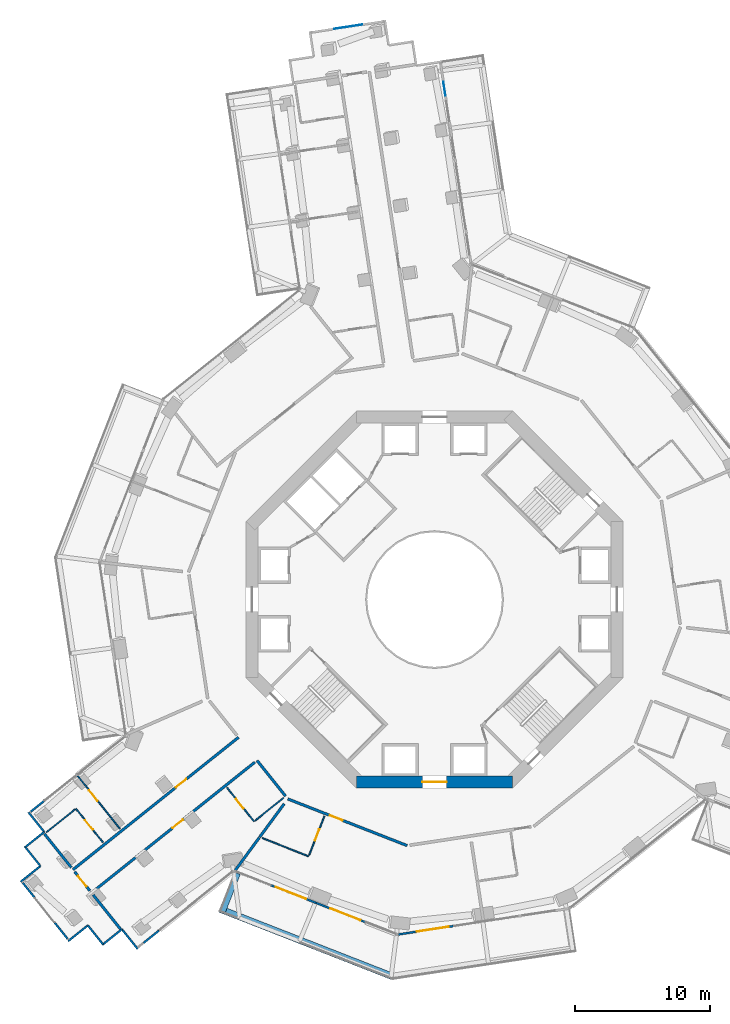
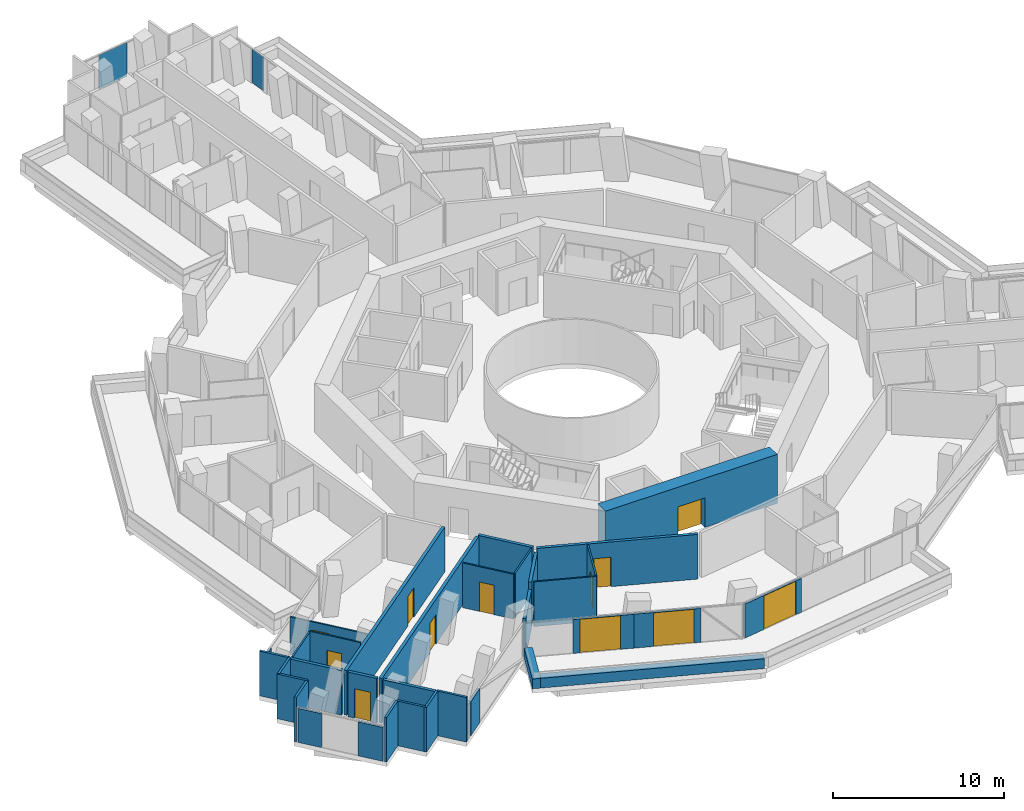
# One storey, part 19 of 28: 34 walls, 12 doors, 2 plates, 12 openings, 2 elements without a shape of their own.
"""IFC4 building model written with IfcOpenShell, lengths in metres."""

from ifc_helpers import new_model, si_unit, direction, frame, frame_2d, origin, origin_2d, place, context, subcontext, project, spatial, rectangle, extrude, material, layer, layer_set, type_object, element, fill, aggregate, save


model = new_model("IFC4")

# Units and contexts
model_context = context("Model", 3, precision=1e-05, world=origin(), true_north=direction((0.0, 1.0)))
body_context = subcontext(model_context, "Body", "Model", "MODEL_VIEW")
ifc_project = project(units=[si_unit("LENGTHUNIT", "METRE"), si_unit("AREAUNIT", "SQUARE_METRE"), si_unit("VOLUMEUNIT", "CUBIC_METRE"), si_unit("PLANEANGLEUNIT", "RADIAN"), si_unit("MASSUNIT", "GRAM", prefix="KILO")], contexts=[model_context])

# Site, building, storey
site_placement = place(None, origin())
site = spatial("IfcSite", under=ifc_project, at=site_placement, CompositionType="ELEMENT")
building_placement = place(site_placement, origin())
building = spatial("IfcBuilding", under=site, at=building_placement, Name="Verdalira Terraces Hotel", CompositionType="ELEMENT")
storey_placement = place(building_placement, frame((0.0, 0.0, 68.0)))
storey = spatial("IfcBuildingStorey", under=building, at=storey_placement, Name="L15", CompositionType="ELEMENT", Elevation=68.0)

# Curtain wall, plate
ifc_material_1 = material(Name="Clear glass", Category="glass")
ifc_layer_1 = layer(ifc_material_1, 0.14990234375)
ifc_layer_set_1 = layer_set([ifc_layer_1], Name="CW2 curtain wall")
curtain_wall_type_1 = type_object("IfcCurtainWallType", Name="CW2 curtain wall", PredefinedType="NOTDEFINED", material=ifc_layer_set_1)
curtain_wall_1_placement = place(storey_placement, origin())
curtain_wall_1 = element("IfcCurtainWall", 1, at=curtain_wall_1_placement, inside=storey, type_object=curtain_wall_type_1, Name="CW2 curtain wall L15 edge 0", PredefinedType="NOTDEFINED")
ifc_material_2 = material(Name="Clear glass", Category="glass")
ifc_layer_2 = layer(ifc_material_2, 0.031982421875)
ifc_layer_set_2 = layer_set([ifc_layer_2], Name="CW2 glass unit 32")
plate_type_1 = type_object("IfcPlateType", Name="CW2 glass unit 32", PredefinedType="CURTAIN_PANEL", material=ifc_layer_set_2)
plate_1_placement = place(storey_placement, frame((0.733398, 37.943115, 0.0), z_axis=(0.0, 0.0, 1.0), x_axis=(-0.150225589, 0.988651745, 0.0)))
plate_1 = element("IfcPlate", 2, at=plate_1_placement, type_object=plate_type_1, Name="CW2 glass unit", PredefinedType="CURTAIN_PANEL", context=body_context, shape_type="SweptSolid", body=[
    extrude(rectangle(XDim=1.071045, YDim=0.031982, at=origin_2d()), origin(), (0.0, 0.0, 1.0), 2.425049),
])
aggregate(curtain_wall_1, [plate_1])

ifc_material_3 = material(Name="Clear glass", Category="glass")
ifc_layer_3 = layer(ifc_material_3, 0.14990234375)
ifc_layer_set_3 = layer_set([ifc_layer_3], Name="CW3 curtain wall")
curtain_wall_type_2 = type_object("IfcCurtainWallType", Name="CW3 curtain wall", PredefinedType="NOTDEFINED", material=ifc_layer_set_3)
curtain_wall_2_placement = place(storey_placement, origin())
curtain_wall_2 = element("IfcCurtainWall", 3, at=curtain_wall_2_placement, inside=storey, type_object=curtain_wall_type_2, Name="CW3 curtain wall L15 edge 5", PredefinedType="NOTDEFINED")
ifc_material_4 = material(Name="Clear glass", Category="glass")
ifc_layer_4 = layer(ifc_material_4, 0.035888671875)
ifc_layer_set_4 = layer_set([ifc_layer_4], Name="CW3 glass unit 36")
plate_type_2 = type_object("IfcPlateType", Name="CW3 glass unit 36", PredefinedType="CURTAIN_PANEL", material=ifc_layer_set_4)
plate_2_placement = place(storey_placement, frame((-6.404541, 42.541748, 0.0), z_axis=(0.0, 0.0, 1.0), x_axis=(-0.988651745, -0.150225589, 0.0)))
plate_2 = element("IfcPlate", 4, at=plate_2_placement, type_object=plate_type_2, Name="CW3 glass unit", PredefinedType="CURTAIN_PANEL", context=body_context, shape_type="SweptSolid", body=[
    extrude(rectangle(XDim=2.0979, YDim=0.035889, at=origin_2d()), origin(), (0.0, 0.0, 1.0), 2.425049),
])
aggregate(curtain_wall_2, [plate_2])

# Walls
ifc_material_5 = material(Name="Concrete C40", Category="concrete")
ifc_layer_5 = layer(ifc_material_5, 0.5)
ifc_layer_set_5 = layer_set([ifc_layer_5], Name="Balcony planter trough with tree")
wall_type_1 = type_object("IfcWallType", Name="Balcony planter trough with tree", PredefinedType="SOLIDWALL", material=ifc_layer_set_5)
wall_1_placement = place(storey_placement, frame((-14.656494, -20.31665, 0.0), z_axis=(0.0, 0.0, 1.0), x_axis=(-0.364261223, -0.931296817, 0.0)))
element("IfcWall", 5, at=wall_1_placement, inside=storey, type_object=wall_type_1, Name="Balcony planter", PredefinedType="SOLIDWALL", context=body_context, shape_type="SweptSolid", body=[
    extrude(rectangle(XDim=3.198975, YDim=0.5, at=frame_2d((1.599609, 0.0))), origin(), (0.0, 0.0, 1.0), 0.699951),
])
wall_2_placement = place(storey_placement, frame((-15.497803, -23.154053, 0.0), z_axis=(0.0, 0.0, 1.0), x_axis=(0.931308957, -0.364230183, 0.0)))
element("IfcWall", 6, at=wall_2_placement, inside=storey, type_object=wall_type_1, Name="Balcony planter", PredefinedType="SOLIDWALL", context=body_context, shape_type="SweptSolid", body=[
    extrude(rectangle(XDim=13.223633, YDim=0.5, at=frame_2d((6.611816, 0.0))), origin(), (0.0, 0.0, 1.0), 0.699951),
])
ifc_material_6 = material(Name="Moisture-resistant gypsum board partition")
ifc_layer_6 = layer(ifc_material_6, 0.10009765625)
ifc_layer_set_6 = layer_set([ifc_layer_6], Name="Bathroom partition 100 mm")
wall_type_2 = type_object("IfcWallType", Name="Bathroom partition 100 mm", PredefinedType="PARTITIONING", material=ifc_layer_set_6)
wall_3_placement = place(storey_placement, frame((-26.708008, -15.590088, 0.0), z_axis=(0.0, 0.0, 1.0), x_axis=(-0.781098103, -0.624408323, 0.0)))
element("IfcWall", 7, at=wall_3_placement, inside=storey, type_object=wall_type_2, Name="Bathroom partition", PredefinedType="PARTITIONING", context=body_context, shape_type="SweptSolid", body=[
    extrude(rectangle(XDim=2.700195, YDim=0.100098, at=frame_2d((1.350098, 0.0))), origin(), (0.0, 0.0, 1.0), 3.189941),
])

# Wall, opening, door
wall_4_placement = place(storey_placement, frame((-24.631836, -18.0271, 0.0), z_axis=(0.0, 0.0, 1.0), x_axis=(-0.624397266, 0.781106942, 0.0)))
wall_4 = element("IfcWall", 8, at=wall_4_placement, inside=storey, type_object=wall_type_2, Name="Bathroom partition", PredefinedType="PARTITIONING", context=body_context, shape_type="SweptSolid", body=[
    extrude(rectangle(XDim=3.199951, YDim=0.100098, at=frame_2d((1.600098, 0.0))), origin(), (0.0, 0.0, 1.0), 3.189941),
])
opening_1_placement = place(wall_4_placement, frame((1.199951, 0.0, 0.0)))
opening_1 = element("IfcOpeningElement", 9, at=opening_1_placement, cuts=wall_4, Name="Opening L15-116", PredefinedType="OPENING", context=body_context, shape_type="SweptSolid", body=[
    extrude(rectangle(XDim=0.899902, YDim=2.100098, at=frame_2d((0.449951, 1.050049))), frame((0.0, 0.060059, 0.0), z_axis=(0.0, -1.0, 0.0), x_axis=(1.0, 0.0, 0.0)), (0.0, 0.0, 1.0), 0.120117),
])
ifc_material_7 = material(Name="Timber door", Category="wood")
door_type_1 = type_object("IfcDoorType", Name="Bathroom door 900 x 2100", OperationType="NOTDEFINED", PredefinedType="DOOR", material=ifc_material_7)
door_1_placement = place(opening_1_placement, origin())
door_1 = element("IfcDoor", 10, at=door_1_placement, inside=storey, type_object=door_type_1, Name="Bathroom door 1506", OperationType="SINGLE_SWING_RIGHT", OverallHeight=2.10009765625, OverallWidth=0.89990234375, PredefinedType="DOOR", context=body_context, shape_type="SweptSolid", body=[
    extrude(rectangle(XDim=0.899902, YDim=2.100098, at=frame_2d((0.449951, 1.050049))), frame((0.0, 0.024902, 0.0), z_axis=(0.0, -1.0, 0.0), x_axis=(1.0, 0.0, 0.0)), (0.0, 0.0, 1.0), 0.050049),
])
fill(opening_1, door_1)

wall_5_placement = place(storey_placement, frame((-15.402344, -13.977295, 0.0), z_axis=(0.0, 0.0, 1.0), x_axis=(0.624443812, -0.781069731, 0.0)))
wall_5 = element("IfcWall", 11, at=wall_5_placement, inside=storey, type_object=wall_type_2, Name="Bathroom partition", PredefinedType="PARTITIONING", context=body_context, shape_type="SweptSolid", body=[
    extrude(rectangle(XDim=3.200195, YDim=0.100098, at=frame_2d((1.600098, 0.0))), origin(), (0.0, 0.0, 1.0), 3.189941),
])
opening_2_placement = place(wall_5_placement, frame((1.050049, 0.0, 0.0)))
opening_2 = element("IfcOpeningElement", 12, at=opening_2_placement, cuts=wall_5, Name="Opening L15-119", PredefinedType="OPENING", context=body_context, shape_type="SweptSolid", body=[
    extrude(rectangle(XDim=0.899902, YDim=2.100098, at=frame_2d((0.449951, 1.050049))), frame((0.0, 0.060059, 0.0), z_axis=(0.0, -1.0, 0.0), x_axis=(1.0, 0.0, 0.0)), (0.0, 0.0, 1.0), 0.120117),
])
door_2_placement = place(opening_2_placement, origin())
door_2 = element("IfcDoor", 13, at=door_2_placement, inside=storey, type_object=door_type_1, Name="Bathroom door 1508", OperationType="SINGLE_SWING_RIGHT", OverallHeight=2.10009765625, OverallWidth=0.89990234375, PredefinedType="DOOR", context=body_context, shape_type="SweptSolid", body=[
    extrude(rectangle(XDim=0.899902, YDim=2.100098, at=frame_2d((0.449951, 1.050049))), frame((0.0, 0.024902, 0.0), z_axis=(0.0, -1.0, 0.0), x_axis=(1.0, 0.0, 0.0)), (0.0, 0.0, 1.0), 0.050049),
])
fill(opening_2, door_2)

# Walls
wall_6_placement = place(storey_placement, frame((-11.217041, -14.728516, 0.0), z_axis=(0.0, 0.0, 1.0), x_axis=(-0.781062848, -0.624452423, 0.0)))
element("IfcWall", 14, at=wall_6_placement, inside=storey, type_object=wall_type_2, Name="Bathroom partition", PredefinedType="PARTITIONING", context=body_context, shape_type="SweptSolid", body=[
    extrude(rectangle(XDim=2.699951, YDim=0.100098, at=frame_2d((1.350098, 0.0))), origin(), (0.0, 0.0, 1.0), 3.189941),
])
wall_7_placement = place(storey_placement, frame((-9.343994, -19.064453, 0.0), z_axis=(0.0, 0.0, 1.0), x_axis=(-0.931326393, 0.364185598, 0.0)))
element("IfcWall", 15, at=wall_7_placement, inside=storey, type_object=wall_type_2, Name="Bathroom partition", PredefinedType="PARTITIONING", context=body_context, shape_type="SweptSolid", body=[
    extrude(rectangle(XDim=3.703857, YDim=0.100098, at=frame_2d((1.852051, 0.0))), origin(), (0.0, 0.0, 1.0), 3.189941),
])

# Wall, opening, door
wall_8_placement = place(storey_placement, frame((-9.307617, -18.971436, 0.0), z_axis=(0.0, 0.0, 1.0), x_axis=(0.364224153, 0.931311315, 0.0)))
wall_8 = element("IfcWall", 16, at=wall_8_placement, inside=storey, type_object=wall_type_2, Name="Bathroom partition", PredefinedType="PARTITIONING", context=body_context, shape_type="SweptSolid", body=[
    extrude(rectangle(XDim=3.100098, YDim=0.100098, at=frame_2d((1.550049, 0.0))), origin(), (0.0, 0.0, 1.0), 3.189941),
])
opening_3_placement = place(wall_8_placement, frame((1.149902, 0.0, 0.0)))
opening_3 = element("IfcOpeningElement", 17, at=opening_3_placement, cuts=wall_8, Name="Opening L15-121", PredefinedType="OPENING", context=body_context, shape_type="SweptSolid", body=[
    extrude(rectangle(XDim=0.899902, YDim=2.100098, at=frame_2d((0.449951, 1.050049))), frame((0.0, 0.060059, 0.0), z_axis=(0.0, -1.0, 0.0), x_axis=(1.0, 0.0, 0.0)), (0.0, 0.0, 1.0), 0.120117),
])
door_3_placement = place(opening_3_placement, origin())
door_3 = element("IfcDoor", 18, at=door_3_placement, inside=storey, type_object=door_type_1, Name="Bathroom door 1509", OperationType="SINGLE_SWING_LEFT", OverallHeight=2.10009765625, OverallWidth=0.89990234375, PredefinedType="DOOR", context=body_context, shape_type="SweptSolid", body=[
    extrude(rectangle(XDim=0.899902, YDim=2.100098, at=frame_2d((0.449951, 1.050049))), frame((0.0, 0.024902, 0.0), z_axis=(0.0, -1.0, 0.0), x_axis=(1.0, 0.0, 0.0)), (0.0, 0.0, 1.0), 0.050049),
])
fill(opening_3, door_3)

ifc_material_8 = material(Name="Moisture-resistant gypsum board partition")
ifc_layer_7 = layer(ifc_material_8, 0.10009765625)
ifc_layer_set_7 = layer_set([ifc_layer_7], Name="Bathroom partition 100 mm to beam soffit")
wall_type_3 = type_object("IfcWallType", Name="Bathroom partition 100 mm to beam soffit", PredefinedType="PARTITIONING", material=ifc_layer_set_7)
wall_9_placement = place(storey_placement, frame((-23.367188, -17.016357, 0.0), z_axis=(0.0, 0.0, 1.0), x_axis=(-0.624441511, 0.781071571, 0.0)))
wall_9 = element("IfcWall", 19, at=wall_9_placement, inside=storey, type_object=wall_type_3, Name="Bathroom partition", PredefinedType="PARTITIONING", context=body_context, shape_type="SweptSolid", body=[
    extrude(rectangle(XDim=5.050293, YDim=0.100098, at=frame_2d((2.525146, 0.0))), origin(), (0.0, 0.0, 1.0), 2.689941),
])
opening_4_placement = place(wall_9_placement, frame((2.649902, 0.0, 0.0)))
opening_4 = element("IfcOpeningElement", 20, at=opening_4_placement, cuts=wall_9, Name="Opening L15-115", PredefinedType="OPENING", context=body_context, shape_type="SweptSolid", body=[
    extrude(rectangle(XDim=1.0, YDim=2.100098, at=frame_2d((0.5, 1.050049))), frame((0.0, 0.060059, 0.0), z_axis=(0.0, -1.0, 0.0), x_axis=(1.0, 0.0, 0.0)), (0.0, 0.0, 1.0), 0.120117),
])
ifc_material_9 = material(Name="Timber door", Category="wood")
door_type_2 = type_object("IfcDoorType", Name="Suite internal door 1000 x 2100", OperationType="NOTDEFINED", PredefinedType="DOOR", material=ifc_material_9)
door_4_placement = place(opening_4_placement, origin())
door_4 = element("IfcDoor", 21, at=door_4_placement, inside=storey, type_object=door_type_2, Name="Suite internal door 1506", OperationType="SINGLE_SWING_LEFT", OverallHeight=2.10009765625, OverallWidth=1.0, PredefinedType="DOOR", context=body_context, shape_type="SweptSolid", body=[
    extrude(rectangle(XDim=1.0, YDim=2.100098, at=frame_2d((0.5, 1.050049))), frame((0.0, 0.024902, 0.0), z_axis=(0.0, -1.0, 0.0), x_axis=(1.0, 0.0, 0.0)), (0.0, 0.0, 1.0), 0.050049),
])
fill(opening_4, door_4)

ifc_material_10 = material(Name="Concrete C70", Category="concrete")
ifc_layer_8 = layer(ifc_material_10, 0.89990234375)
ifc_layer_set_8 = layer_set([ifc_layer_8], Name="Core wall 900 C70")
wall_type_4 = type_object("IfcWallType", Name="Core wall 900 C70", PredefinedType="SHEAR", material=ifc_layer_set_8)
wall_10_placement = place(storey_placement, frame((-5.799072, -13.550049, 0.0), z_axis=(0.0, 0.0, 1.0), x_axis=(1.0, 0.0, 0.0)))
wall_10 = element("IfcWall", 22, at=wall_10_placement, inside=storey, type_object=wall_type_4, Name="Core wall CW-L15-7", PredefinedType="SHEAR", context=body_context, shape_type="SweptSolid", body=[
    extrude(rectangle(XDim=11.598145, YDim=0.899902, at=frame_2d((5.799072, 0.0))), origin(), (0.0, 0.0, 1.0), 3.5),
])
opening_5_placement = place(wall_10_placement, frame((4.898926, 0.0, 0.0)))
opening_5 = element("IfcOpeningElement", 23, at=opening_5_placement, cuts=wall_10, Name="Opening L15-815", PredefinedType="OPENING", context=body_context, shape_type="SweptSolid", body=[
    extrude(rectangle(XDim=1.800049, YDim=2.100098, at=frame_2d((0.899902, 1.050049))), frame((0.0, 0.459961, 0.0), z_axis=(0.0, -1.0, 0.0), x_axis=(1.0, 0.0, 0.0)), (0.0, 0.0, 1.0), 0.919922),
])
ifc_material_11 = material(Name="Steel fire door", Category="steel")
door_type_3 = type_object("IfcDoorType", Name="Core entry door pair 1800 x 2100", OperationType="NOTDEFINED", PredefinedType="DOOR", material=ifc_material_11)
door_5_placement = place(opening_5_placement, origin())
door_5 = element("IfcDoor", 24, at=door_5_placement, inside=storey, type_object=door_type_3, Name="Core entry door L15 6", OperationType="DOUBLE_DOOR_SINGLE_SWING", OverallHeight=2.10009765625, OverallWidth=1.800048828125, PredefinedType="DOOR", context=body_context, shape_type="SweptSolid", body=[
    extrude(rectangle(XDim=1.800049, YDim=2.100098, at=frame_2d((0.899902, 1.050049))), frame((0.0, 0.024902, 0.0), z_axis=(0.0, -1.0, 0.0), x_axis=(1.0, 0.0, 0.0)), (0.0, 0.0, 1.0), 0.050049),
])
fill(opening_5, door_5)

# Walls
ifc_material_12 = material(Name="Fire-rated gypsum board wall")
ifc_layer_9 = layer(ifc_material_12, 0.199951171875)
ifc_layer_set_9 = layer_set([ifc_layer_9], Name="Demising wall 200 mm")
wall_type_5 = type_object("IfcWallType", Name="Demising wall 200 mm", PredefinedType="SOLIDWALL", material=ifc_layer_set_9)
wall_11_placement = place(storey_placement, frame((-28.974609, -17.399414, 0.0), z_axis=(0.0, 0.0, 1.0), x_axis=(0.624425537, -0.781084342, 0.0)))
element("IfcWall", 25, at=wall_11_placement, inside=storey, type_object=wall_type_5, Name="Demising wall", PredefinedType="SOLIDWALL", context=body_context, shape_type="SweptSolid", body=[
    extrude(rectangle(XDim=3.204102, YDim=0.199951, at=frame_2d((1.602051, 0.0))), origin(), (0.0, 0.0, 1.0), 3.189941),
])
wall_12_placement = place(storey_placement, frame((-25.352783, -21.929688, 0.0), z_axis=(0.0, 0.0, 1.0), x_axis=(0.624411181, -0.781095818, 0.0)))
element("IfcWall", 26, at=wall_12_placement, inside=storey, type_object=wall_type_5, Name="Demising wall", PredefinedType="SOLIDWALL", context=body_context, shape_type="SweptSolid", body=[
    extrude(rectangle(XDim=3.251953, YDim=0.199951, at=frame_2d((1.625977, 0.0))), origin(), (0.0, 0.0, 1.0), 3.189941),
])
wall_13_placement = place(storey_placement, frame((-11.164795, -15.165527, 0.0), z_axis=(0.0, 0.0, 1.0), x_axis=(-0.592836025, -0.805323194, 0.0)))
element("IfcWall", 27, at=wall_13_placement, inside=storey, type_object=wall_type_5, Name="Demising wall", PredefinedType="SOLIDWALL", context=body_context, shape_type="SweptSolid", body=[
    extrude(rectangle(XDim=3.074707, YDim=0.199951, at=frame_2d((1.537354, 0.0))), origin(), (0.0, 0.0, 1.0), 3.189941),
])
ifc_material_13 = material(Name="Fire-rated gypsum board wall")
ifc_layer_10 = layer(ifc_material_13, 0.199951171875)
ifc_layer_set_10 = layer_set([ifc_layer_10], Name="Demising wall 200 mm to beam soffit")
wall_type_6 = type_object("IfcWallType", Name="Demising wall 200 mm to beam soffit", PredefinedType="SOLIDWALL", material=ifc_layer_set_10)
wall_14_placement = place(storey_placement, frame((-13.014893, -17.678711, 0.0), z_axis=(0.0, 0.0, 1.0), x_axis=(-0.592828383, -0.80532882, 0.0)))
element("IfcWall", 28, at=wall_14_placement, inside=storey, type_object=wall_type_6, Name="Demising wall", PredefinedType="SOLIDWALL", context=body_context, shape_type="SweptSolid", body=[
    extrude(rectangle(XDim=3.01123, YDim=0.199951, at=frame_2d((1.505615, 0.0))), origin(), (0.0, 0.0, 1.0), 2.689941),
])

# Wall, opening, door
ifc_material_14 = material(Name="Fire-rated gypsum board wall")
ifc_layer_11 = layer(ifc_material_14, 0.199951171875)
ifc_layer_set_11 = layer_set([ifc_layer_11], Name="Guest corridor wall 200 mm")
wall_type_7 = type_object("IfcWallType", Name="Guest corridor wall 200 mm", PredefinedType="SOLIDWALL", material=ifc_layer_set_11)
wall_15_placement = place(storey_placement, frame((-25.600098, -21.620361, 0.0), z_axis=(0.0, 0.0, 1.0), x_axis=(-0.624397943, 0.7811064, 0.0)))
wall_15 = element("IfcWall", 29, at=wall_15_placement, inside=storey, type_object=wall_type_7, Name="Guest corridor wall", PredefinedType="SOLIDWALL", context=body_context, shape_type="SweptSolid", body=[
    extrude(rectangle(XDim=1.804199, YDim=0.199951, at=frame_2d((0.9021, 0.0))), origin(), (0.0, 0.0, 1.0), 3.189941),
])
opening_6_placement = place(wall_15_placement, frame((0.399902, 0.0, 0.0)))
opening_6 = element("IfcOpeningElement", 30, at=opening_6_placement, cuts=wall_15, Name="Opening L15-117", PredefinedType="OPENING", context=body_context, shape_type="SweptSolid", body=[
    extrude(rectangle(XDim=1.0, YDim=2.100098, at=frame_2d((0.5, 1.050049))), frame((0.0, 0.109863, 0.0), z_axis=(0.0, -1.0, 0.0), x_axis=(1.0, 0.0, 0.0)), (0.0, 0.0, 1.0), 0.219971),
])
ifc_material_15 = material(Name="Timber door", Category="wood")
door_type_4 = type_object("IfcDoorType", Name="Lounge door 1000 x 2100", OperationType="NOTDEFINED", PredefinedType="DOOR", material=ifc_material_15)
door_6_placement = place(opening_6_placement, origin())
door_6 = element("IfcDoor", 31, at=door_6_placement, inside=storey, type_object=door_type_4, Name="Lounge door 1507", OperationType="SINGLE_SWING_LEFT", OverallHeight=2.10009765625, OverallWidth=1.0, PredefinedType="DOOR", context=body_context, shape_type="SweptSolid", body=[
    extrude(rectangle(XDim=1.0, YDim=2.100098, at=frame_2d((0.5, 1.050049))), frame((0.0, 0.024902, 0.0), z_axis=(0.0, -1.0, 0.0), x_axis=(1.0, 0.0, 0.0)), (0.0, 0.0, 1.0), 0.050049),
])
fill(opening_6, door_6)

wall_16_placement = place(storey_placement, frame((-26.850098, -20.056641, 0.0), z_axis=(0.0, 0.0, 1.0), x_axis=(0.78108065, 0.624430155, 0.0)))
wall_16 = element("IfcWall", 32, at=wall_16_placement, inside=storey, type_object=wall_type_7, Name="Guest corridor wall", PredefinedType="SOLIDWALL", context=body_context, shape_type="SweptSolid", body=[
    extrude(rectangle(XDim=15.737793, YDim=0.199951, at=frame_2d((7.868896, 0.0))), origin(), (0.0, 0.0, 1.0), 3.189941),
])
opening_7_placement = place(wall_16_placement, frame((9.768799, 0.0, 0.0)))
opening_7 = element("IfcOpeningElement", 33, at=opening_7_placement, cuts=wall_16, Name="Opening L15-114", PredefinedType="OPENING", context=body_context, shape_type="SweptSolid", body=[
    extrude(rectangle(XDim=1.0, YDim=2.100098, at=frame_2d((0.5, 1.050049))), frame((0.0, 0.109863, 0.0), z_axis=(0.0, -1.0, 0.0), x_axis=(1.0, 0.0, 0.0)), (0.0, 0.0, 1.0), 0.219971),
])
ifc_material_16 = material(Name="Timber fire door", Category="wood")
door_type_5 = type_object("IfcDoorType", Name="Guest entry door 1000 x 2100", OperationType="NOTDEFINED", PredefinedType="DOOR", material=ifc_material_16)
door_7_placement = place(opening_7_placement, origin())
door_7 = element("IfcDoor", 34, at=door_7_placement, inside=storey, type_object=door_type_5, Name="Guest entry door 1506", OperationType="SINGLE_SWING_LEFT", OverallHeight=2.10009765625, OverallWidth=1.0, PredefinedType="DOOR", context=body_context, shape_type="SweptSolid", body=[
    extrude(rectangle(XDim=1.0, YDim=2.100098, at=frame_2d((0.5, 1.050049))), frame((0.0, 0.024902, 0.0), z_axis=(0.0, -1.0, 0.0), x_axis=(1.0, 0.0, 0.0)), (0.0, 0.0, 1.0), 0.050049),
])
fill(opening_7, door_7)

wall_17_placement = place(storey_placement, frame((-13.340088, -12.072998, 0.0), z_axis=(0.0, 0.0, 1.0), x_axis=(-0.781097167, -0.624409493, 0.0)))
wall_17 = element("IfcWall", 35, at=wall_17_placement, inside=storey, type_object=wall_type_7, Name="Guest corridor wall", PredefinedType="SOLIDWALL", context=body_context, shape_type="SweptSolid", body=[
    extrude(rectangle(XDim=15.537842, YDim=0.199951, at=frame_2d((7.769043, 0.0))), origin(), (0.0, 0.0, 1.0), 3.189941),
])
opening_8_placement = place(wall_17_placement, frame((6.850098, 0.0, 0.0)))
opening_8 = element("IfcOpeningElement", 36, at=opening_8_placement, cuts=wall_17, Name="Opening L15-118", PredefinedType="OPENING", context=body_context, shape_type="SweptSolid", body=[
    extrude(rectangle(XDim=1.0, YDim=2.100098, at=frame_2d((0.5, 1.050049))), frame((0.0, 0.109863, 0.0), z_axis=(0.0, -1.0, 0.0), x_axis=(1.0, 0.0, 0.0)), (0.0, 0.0, 1.0), 0.219971),
])
door_8_placement = place(opening_8_placement, origin())
door_8 = element("IfcDoor", 37, at=door_8_placement, inside=storey, type_object=door_type_5, Name="Guest entry door 1508", OperationType="SINGLE_SWING_RIGHT", OverallHeight=2.10009765625, OverallWidth=1.0, PredefinedType="DOOR", context=body_context, shape_type="SweptSolid", body=[
    extrude(rectangle(XDim=1.0, YDim=2.100098, at=frame_2d((0.5, 1.050049))), frame((0.0, 0.024902, 0.0), z_axis=(0.0, -1.0, 0.0), x_axis=(1.0, 0.0, 0.0)), (0.0, 0.0, 1.0), 0.050049),
])
fill(opening_8, door_8)

# Wall
wall_18_placement = place(storey_placement, frame((-13.183838, -11.947998, 0.0), z_axis=(0.0, 0.0, 1.0), x_axis=(0.624449816, -0.781064932, 0.0)))
element("IfcWall", 38, at=wall_18_placement, inside=storey, type_object=wall_type_7, Name="Guest corridor wall", PredefinedType="SOLIDWALL", context=body_context, shape_type="SweptSolid", body=[
    extrude(rectangle(XDim=3.399902, YDim=0.199951, at=frame_2d((1.699951, 0.0))), origin(), (0.0, 0.0, 1.0), 3.189941),
])

# Wall, opening, door
wall_19_placement = place(storey_placement, frame((-2.037109, -18.271484, 0.0), z_axis=(0.0, 0.0, 1.0), x_axis=(-0.931306737, 0.364235861, 0.0)))
wall_19 = element("IfcWall", 39, at=wall_19_placement, inside=storey, type_object=wall_type_7, Name="Guest corridor wall", PredefinedType="SOLIDWALL", context=body_context, shape_type="SweptSolid", body=[
    extrude(rectangle(XDim=9.515869, YDim=0.199951, at=frame_2d((4.757812, 0.0))), origin(), (0.0, 0.0, 1.0), 3.189941),
])
opening_9_placement = place(wall_19_placement, frame((5.149902, 0.0, 0.0)))
opening_9 = element("IfcOpeningElement", 40, at=opening_9_placement, cuts=wall_19, Name="Opening L15-120", PredefinedType="OPENING", context=body_context, shape_type="SweptSolid", body=[
    extrude(rectangle(XDim=1.0, YDim=2.100098, at=frame_2d((0.5, 1.050049))), frame((0.0, 0.109863, 0.0), z_axis=(0.0, -1.0, 0.0), x_axis=(1.0, 0.0, 0.0)), (0.0, 0.0, 1.0), 0.219971),
])
door_9_placement = place(opening_9_placement, origin())
door_9 = element("IfcDoor", 41, at=door_9_placement, inside=storey, type_object=door_type_5, Name="Guest entry door 1509", OperationType="SINGLE_SWING_LEFT", OverallHeight=2.10009765625, OverallWidth=1.0, PredefinedType="DOOR", context=body_context, shape_type="SweptSolid", body=[
    extrude(rectangle(XDim=1.0, YDim=2.100098, at=frame_2d((0.5, 1.050049))), frame((0.0, 0.024902, 0.0), z_axis=(0.0, -1.0, 0.0), x_axis=(1.0, 0.0, 0.0)), (0.0, 0.0, 1.0), 0.050049),
])
fill(opening_9, door_9)

# Walls
ifc_material_17 = material(Name="Terracotta cladding", Category="masonry")
ifc_layer_12 = layer(ifc_material_17, 0.14990234375)
ifc_layer_set_12 = layer_set([ifc_layer_12], Name="Terracotta clad wall 150")
wall_type_8 = type_object("IfcWallType", Name="Terracotta clad wall 150", PredefinedType="SOLIDWALL", material=ifc_layer_set_12)
wall_20_placement = place(storey_placement, frame((-30.163574, -15.791992, 0.0), z_axis=(0.0, 0.0, 1.0), x_axis=(0.624440965, -0.781072008, 0.0)))
element("IfcWall", 42, at=wall_20_placement, inside=storey, type_object=wall_type_8, Name="Terracotta cladding wall", PredefinedType="SOLIDWALL", context=body_context, shape_type="SweptSolid", body=[
    extrude(rectangle(XDim=1.875, YDim=0.149902, at=frame_2d((0.9375, 0.0))), origin(), (0.0, 0.0, 1.0), 3.189941),
])
wall_21_placement = place(storey_placement, frame((-28.992676, -17.256592, 0.0), z_axis=(0.0, 0.0, 1.0), x_axis=(-0.781146627, -0.624347617, 0.0)))
element("IfcWall", 43, at=wall_21_placement, inside=storey, type_object=wall_type_8, Name="Terracotta cladding wall", PredefinedType="SOLIDWALL", context=body_context, shape_type="SweptSolid", body=[
    extrude(rectangle(XDim=1.799805, YDim=0.149902, at=frame_2d((0.899902, 0.0))), origin(), (0.0, 0.0, 1.0), 3.189941),
])
for number, where, z_axis, x_axis, name in (
    (44, (-30.445557, -18.321777, 0.0), (0.0, 0.0, 1.0), (0.624440965, -0.781072008, 0.0), "Terracotta cladding wall"),
    (45, (-29.274658, -19.786377, 0.0), (0.0, 0.0, 1.0), (-0.781072008, -0.624440965, 0.0), "Terracotta cladding wall"),
    (46, (-27.211182, -25.370361, 0.0), (0.0, 0.0, 1.0), (0.781021231, 0.624504472, 0.0), "Terracotta cladding wall"),
):
    element("IfcWall", number, at=place(storey_placement, frame(where, z_axis=z_axis, x_axis=x_axis)), inside=storey, type_object=wall_type_8, Name=name, PredefinedType="SOLIDWALL", context=body_context, shape_type="SweptSolid", body=[
        extrude(rectangle(XDim=1.875, YDim=0.149902, at=frame_2d((0.9375, 0.0))), origin(), (0.0, 0.0, 1.0), 3.189941),
    ])
wall_22_placement = place(storey_placement, frame((-25.746826, -24.199463, 0.0), z_axis=(0.0, 0.0, 1.0), x_axis=(0.624430372, -0.781080476, 0.0)))
element("IfcWall", 47, at=wall_22_placement, inside=storey, type_object=wall_type_8, Name="Terracotta cladding wall", PredefinedType="SOLIDWALL", context=body_context, shape_type="SweptSolid", body=[
    extrude(rectangle(XDim=1.800049, YDim=0.149902, at=frame_2d((0.899902, 0.0))), origin(), (0.0, 0.0, 1.0), 3.189941),
])
for number, where, z_axis, x_axis, name in (
    (48, (-24.681396, -25.652344, 0.0), (0.0, 0.0, 1.0), (0.781072008, 0.624440965, 0.0), "Terracotta cladding wall"),
    (49, (-23.216797, -24.481445, 0.0), (0.0, 0.0, 1.0), (0.624361524, -0.781135512, 0.0), "Terracotta cladding wall"),
):
    element("IfcWall", number, at=place(storey_placement, frame(where, z_axis=z_axis, x_axis=x_axis)), inside=storey, type_object=wall_type_8, Name=name, PredefinedType="SOLIDWALL", context=body_context, shape_type="SweptSolid", body=[
        extrude(rectangle(XDim=1.875, YDim=0.149902, at=frame_2d((0.9375, 0.0))), origin(), (0.0, 0.0, 1.0), 3.189941),
    ])
ifc_material_18 = material(Name="Terracotta cladding", Category="masonry")
ifc_layer_13 = layer(ifc_material_18, 0.14990234375)
ifc_layer_set_13 = layer_set([ifc_layer_13], Name="Terracotta column pier 150")
wall_type_9 = type_object("IfcWallType", Name="Terracotta column pier 150", PredefinedType="SOLIDWALL", material=ifc_layer_set_13)
wall_23_placement = place(storey_placement, frame((-28.95874, -14.924805, 0.0), z_axis=(0.0, 0.0, 1.0), x_axis=(-0.781064662, -0.624450154, 0.0)))
element("IfcWall", 50, at=wall_23_placement, inside=storey, type_object=wall_type_9, Name="Terracotta column pier", PredefinedType="SOLIDWALL", context=body_context, shape_type="SweptSolid", body=[
    extrude(rectangle(XDim=1.337402, YDim=0.149902, at=frame_2d((0.668701, 0.0))), origin(), (0.0, 0.0, 1.0), 2.425049),
])
wall_24_placement = place(storey_placement, frame((-30.583984, -21.031494, 0.0), z_axis=(0.0, 0.0, 1.0), x_axis=(0.624472287, -0.781046966, 0.0)))
element("IfcWall", 51, at=wall_24_placement, inside=storey, type_object=wall_type_9, Name="Terracotta column pier", PredefinedType="SOLIDWALL", context=body_context, shape_type="SweptSolid", body=[
    extrude(rectangle(XDim=1.470459, YDim=0.149902, at=frame_2d((0.735352, 0.0))), origin(), (0.0, 0.0, 1.0), 2.425049),
])
wall_25_placement = place(storey_placement, frame((-28.236084, -23.968262, 0.0), z_axis=(0.0, 0.0, 1.0), x_axis=(0.624412349, -0.781094884, 0.0)))
element("IfcWall", 52, at=wall_25_placement, inside=storey, type_object=wall_type_9, Name="Terracotta column pier", PredefinedType="SOLIDWALL", context=body_context, shape_type="SweptSolid", body=[
    extrude(rectangle(XDim=1.580078, YDim=0.149902, at=frame_2d((0.790039, 0.0))), origin(), (0.0, 0.0, 1.0), 2.425049),
])
wall_26_placement = place(storey_placement, frame((-21.604736, -25.497314, 0.0), z_axis=(0.0, 0.0, 1.0), x_axis=(0.781096185, 0.624410722, 0.0)))
element("IfcWall", 53, at=wall_26_placement, inside=storey, type_object=wall_type_9, Name="Terracotta column pier", PredefinedType="SOLIDWALL", context=body_context, shape_type="SweptSolid", body=[
    extrude(rectangle(XDim=1.466309, YDim=0.149902, at=frame_2d((0.733154, 0.0))), origin(), (0.0, 0.0, 1.0), 2.425049),
])

# Wall, opening, door
ifc_material_19 = material(Name="Terracotta cladding", Category="masonry")
ifc_layer_14 = layer(ifc_material_19, 0.14990234375)
ifc_layer_set_14 = layer_set([ifc_layer_14], Name="Terracotta door pier 150")
wall_type_10 = type_object("IfcWallType", Name="Terracotta door pier 150", PredefinedType="SOLIDWALL", material=ifc_layer_set_14)
wall_27_placement = place(storey_placement, frame((-12.160889, -21.210938, 0.0), z_axis=(0.0, 0.0, 1.0), x_axis=(0.931306801, -0.364235697, 0.0)))
wall_27 = element("IfcWall", 54, at=wall_27_placement, inside=storey, type_object=wall_type_10, Name="Terracotta door pier", PredefinedType="SOLIDWALL", context=body_context, shape_type="SweptSolid", body=[
    extrude(rectangle(XDim=3.600098, YDim=0.149902, at=frame_2d((1.800049, 0.0))), origin(), (0.0, 0.0, 1.0), 2.425049),
])
opening_10_placement = place(wall_27_placement, frame((0.399902, 0.0, 0.0)))
opening_10 = element("IfcOpeningElement", 55, at=opening_10_placement, cuts=wall_27, Name="Opening L15-B11", PredefinedType="OPENING", context=body_context, shape_type="SweptSolid", body=[
    extrude(rectangle(XDim=2.399902, YDim=2.399902, at=frame_2d((1.199951, 1.199951))), frame((0.0, 0.084961, 0.0), z_axis=(0.0, -1.0, 0.0), x_axis=(1.0, 0.0, 0.0)), (0.0, 0.0, 1.0), 0.169922),
])
ifc_material_20 = material(Name="Clear glass", Category="glass")
door_type_6 = type_object("IfcDoorType", Name="Balcony sliding door 2400x2400", OperationType="NOTDEFINED", PredefinedType="DOOR", material=ifc_material_20)
door_10_placement = place(opening_10_placement, origin())
door_10 = element("IfcDoor", 56, at=door_10_placement, inside=storey, type_object=door_type_6, Name="Balcony sliding door", OperationType="SLIDING_TO_RIGHT", OverallHeight=2.39990234375, OverallWidth=2.39990234375, PredefinedType="DOOR", context=body_context, shape_type="SweptSolid", body=[
    extrude(rectangle(XDim=2.399902, YDim=2.399902, at=frame_2d((1.199951, 1.199951))), frame((0.0, 0.024902, 0.0), z_axis=(0.0, -1.0, 0.0), x_axis=(1.0, 0.0, 0.0)), (0.0, 0.0, 1.0), 0.050049),
])
fill(opening_10, door_10)

wall_28_placement = place(storey_placement, frame((-8.808105, -22.522217, 0.0), z_axis=(0.0, 0.0, 1.0), x_axis=(0.931314617, -0.364215712, 0.0)))
wall_28 = element("IfcWall", 57, at=wall_28_placement, inside=storey, type_object=wall_type_10, Name="Terracotta door pier", PredefinedType="SOLIDWALL", context=body_context, shape_type="SweptSolid", body=[
    extrude(rectangle(XDim=3.960205, YDim=0.149902, at=frame_2d((1.97998, 0.0))), origin(), (0.0, 0.0, 1.0), 2.425049),
])
opening_11_placement = place(wall_28_placement, frame((1.1604, 0.0, 0.0)))
opening_11 = element("IfcOpeningElement", 58, at=opening_11_placement, cuts=wall_28, Name="Opening L15-B12", PredefinedType="OPENING", context=body_context, shape_type="SweptSolid", body=[
    extrude(rectangle(XDim=2.399902, YDim=2.399902, at=frame_2d((1.199951, 1.199951))), frame((0.0, 0.084961, 0.0), z_axis=(0.0, -1.0, 0.0), x_axis=(1.0, 0.0, 0.0)), (0.0, 0.0, 1.0), 0.169922),
])
door_11_placement = place(opening_11_placement, origin())
door_11 = element("IfcDoor", 59, at=door_11_placement, inside=storey, type_object=door_type_6, Name="Balcony sliding door", OperationType="SLIDING_TO_LEFT", OverallHeight=2.39990234375, OverallWidth=2.39990234375, PredefinedType="DOOR", context=body_context, shape_type="SweptSolid", body=[
    extrude(rectangle(XDim=2.399902, YDim=2.399902, at=frame_2d((1.199951, 1.199951))), frame((0.0, 0.024902, 0.0), z_axis=(0.0, -1.0, 0.0), x_axis=(1.0, 0.0, 0.0)), (0.0, 0.0, 1.0), 0.050049),
])
fill(opening_11, door_11)

wall_29_placement = place(storey_placement, frame((-2.694336, -24.870361, 0.0), z_axis=(0.0, 0.0, 1.0), x_axis=(0.988648334, 0.150248032, 0.0)))
wall_29 = element("IfcWall", 60, at=wall_29_placement, inside=storey, type_object=wall_type_10, Name="Terracotta door pier", PredefinedType="SOLIDWALL", context=body_context, shape_type="SweptSolid", body=[
    extrude(rectangle(XDim=4.19873, YDim=0.149902, at=frame_2d((2.099365, 0.0))), origin(), (0.0, 0.0, 1.0), 2.425049),
])
opening_12_placement = place(wall_29_placement, frame((1.398682, 0.0, 0.0)))
opening_12 = element("IfcOpeningElement", 61, at=opening_12_placement, cuts=wall_29, Name="Opening L15-B13", PredefinedType="OPENING", context=body_context, shape_type="SweptSolid", body=[
    extrude(rectangle(XDim=2.399902, YDim=2.399902, at=frame_2d((1.199951, 1.199951))), frame((0.0, 0.084961, 0.0), z_axis=(0.0, -1.0, 0.0), x_axis=(1.0, 0.0, 0.0)), (0.0, 0.0, 1.0), 0.169922),
])
door_12_placement = place(opening_12_placement, origin())
door_12 = element("IfcDoor", 62, at=door_12_placement, inside=storey, type_object=door_type_6, Name="Balcony sliding door", OperationType="SLIDING_TO_LEFT", OverallHeight=2.39990234375, OverallWidth=2.39990234375, PredefinedType="DOOR", context=body_context, shape_type="SweptSolid", body=[
    extrude(rectangle(XDim=2.399902, YDim=2.399902, at=frame_2d((1.199951, 1.199951))), frame((0.0, 0.024902, 0.0), z_axis=(0.0, -1.0, 0.0), x_axis=(1.0, 0.0, 0.0)), (0.0, 0.0, 1.0), 0.050049),
])
fill(opening_12, door_12)

save(model, "model.ifc")
